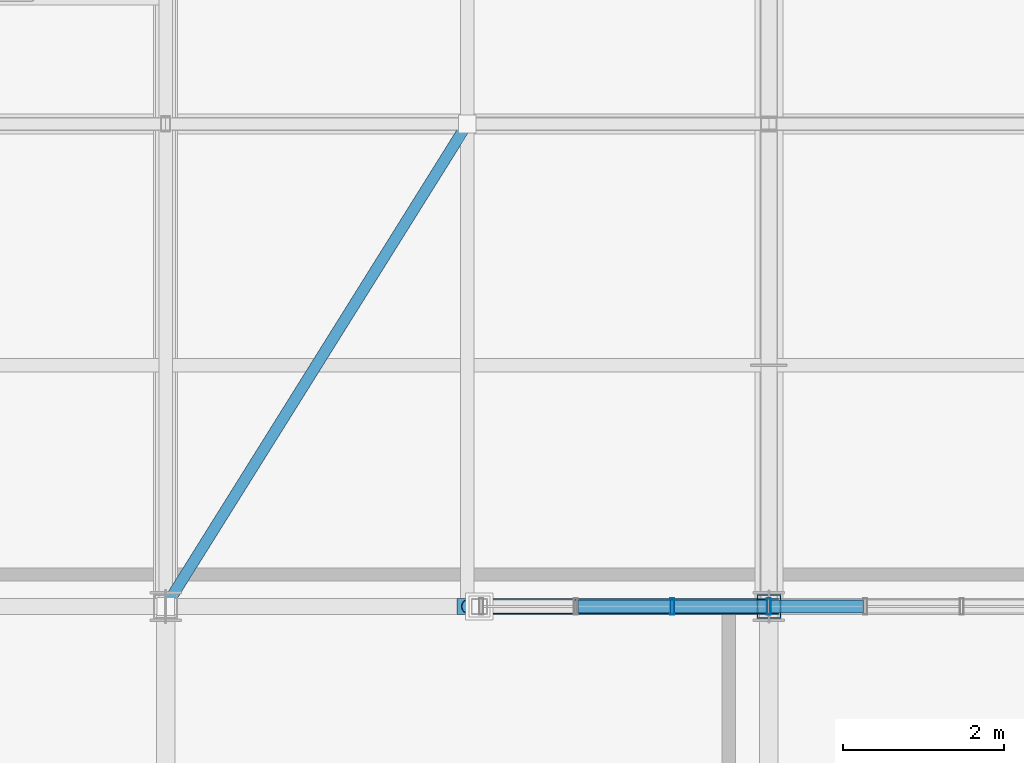
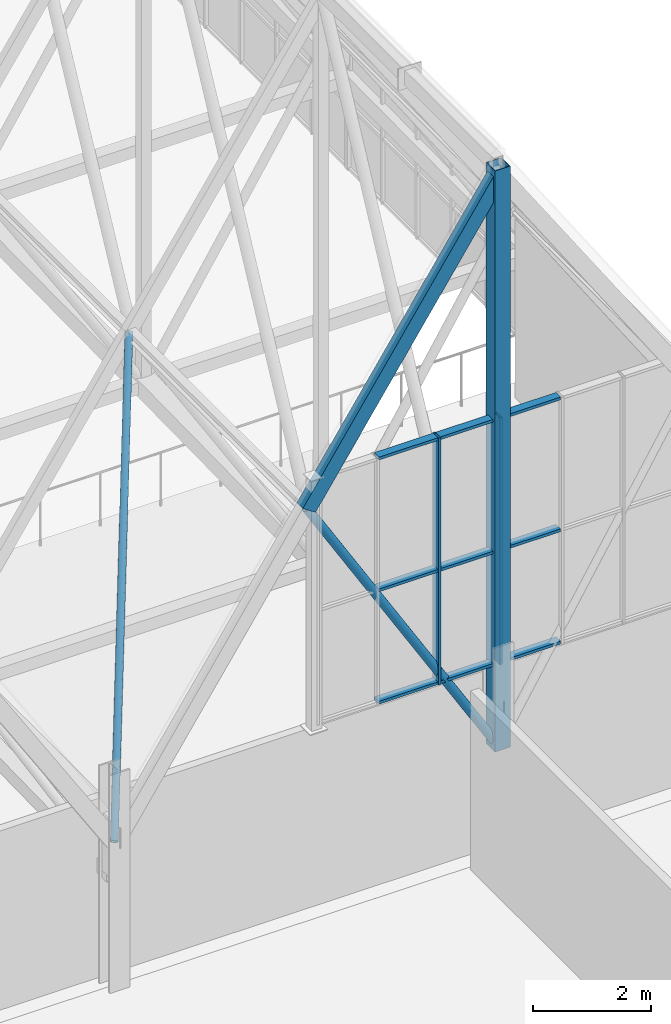
# One storey, part 213 of 324: 15 members, 1 element without a shape of its own.
"""IFC4 building model written with IfcOpenShell, lengths in metres."""

from ifc_helpers import new_model, si_unit, direction, frame, origin, origin_2d, place, context, subcontext, project, spatial, hollow_rectangle, hollow_circle, extrude, material, layer, layer_set, material_profile, profile_set, type_object, element, aggregate, save


model = new_model("IFC4")

# Units and contexts
model_context = context("Model", 3, precision=1e-05, world=origin(), true_north=direction((0.0, 1.0)))
body_context = subcontext(model_context, "Body", "Model", "MODEL_VIEW")
ifc_project = project(units=[si_unit("LENGTHUNIT", "METRE"), si_unit("AREAUNIT", "SQUARE_METRE"), si_unit("VOLUMEUNIT", "CUBIC_METRE"), si_unit("PLANEANGLEUNIT", "RADIAN"), si_unit("MASSUNIT", "GRAM", prefix="KILO")], contexts=[model_context])

# Site, building, storey
site_placement = place(None, origin())
site = spatial("IfcSite", under=ifc_project, at=site_placement, CompositionType="ELEMENT")
building_placement = place(site_placement, origin())
building = spatial("IfcBuilding", under=site, at=building_placement, Name="Solvenia Promenade Tram Depot", CompositionType="ELEMENT")
storey_placement = place(building_placement, frame((0.0, 0.0, 4.5)))
storey = spatial("IfcBuildingStorey", under=building, at=storey_placement, Name="L01", CompositionType="ELEMENT", Elevation=4.5)

# Curtain wall, members
ifc_material_1 = material(Name="Anodized aluminium AW-6063 T6", Category="aluminium")
ifc_layer = layer(ifc_material_1, 0.14990234375, Name="Anodized aluminium AW-6063 T6", Category="aluminium")
ifc_layer_set = layer_set([ifc_layer], Name="Anodized aluminium AW-6063 T6")
curtain_wall_type = type_object("IfcCurtainWallType", Name="CW-Gable-1200", PredefinedType="NOTDEFINED", material=ifc_layer_set)
curtain_wall_placement = place(storey_placement, origin())
curtain_wall = element("IfcCurtainWall", 1, at=curtain_wall_placement, inside=storey, type_object=curtain_wall_type, Name="South Zigzag Gable 10 Peak Glazing", PredefinedType="NOTDEFINED")
ifc_material_profile_1 = material_profile(ifc_material_1, hollow_rectangle(XDim=0.199951171875, YDim=0.048095703125, WallThickness=0.00390625, at=origin_2d()), Name="ALU-M3", Category="aluminium")
ifc_profile_set_1 = profile_set([ifc_material_profile_1], Name="Anodized aluminium AW-6063 T6")
member_type_1 = type_object("IfcMemberType", Name="CWM-Mullion-3", PredefinedType="MULLION", material=ifc_profile_set_1)
member_1_placement = place(storey_placement, frame((141.300048828125, 66.0, 4.050048828125), z_axis=(0.0, 0.0, 1.0), x_axis=(0.0, 1.0, 0.0)))
member_1 = element("IfcMember", 2, at=member_1_placement, type_object=member_type_1, Name="CW-3 mullion 3", PredefinedType="MULLION", context=body_context, shape_type="SweptSolid", body=[
    extrude(hollow_rectangle(XDim=0.199951171875, YDim=0.048095703125, WallThickness=0.00390625, at=origin_2d()), origin(), (0.0, 0.0, 1.0), 5.099853515625),
])
member_2_placement = place(storey_placement, frame((142.5, 66.0, 4.050048828125), z_axis=(0.0, 0.0, 1.0), x_axis=(0.0, 1.0, 0.0)))
member_2 = element("IfcMember", 3, at=member_2_placement, type_object=member_type_1, Name="CW-3 mullion 4", PredefinedType="MULLION", context=body_context, shape_type="SweptSolid", body=[
    extrude(hollow_rectangle(XDim=0.199951171875, YDim=0.048095703125, WallThickness=0.00390625, at=origin_2d()), origin(), (0.0, 0.0, 1.0), 5.099853515625),
])
ifc_material_profile_2 = material_profile(ifc_material_1, hollow_rectangle(XDim=0.159912109375, YDim=0.05810546875, WallThickness=0.00390625, at=origin_2d()), Name="ALU-T3", Category="aluminium")
ifc_profile_set_2 = profile_set([ifc_material_profile_2], Name="Anodized aluminium AW-6063 T6")
member_type_2 = type_object("IfcMemberType", Name="CWT-Transom-3", PredefinedType="USERDEFINED", material=ifc_profile_set_2)
member_3_placement = place(storey_placement, frame((140.1240234375, 66.0, 4.0791015625), z_axis=(1.0, 0.0, 0.0), x_axis=(0.0, 1.0, 0.0)))
member_3 = element("IfcMember", 4, at=member_3_placement, type_object=member_type_2, Name="CW-3 transom 2.1", ObjectType="TRANSOM", PredefinedType="USERDEFINED", context=body_context, shape_type="SweptSolid", body=[
    extrude(hollow_rectangle(XDim=0.159912109375, YDim=0.05810546875, WallThickness=0.00390625, at=origin_2d()), origin(), (0.0, 0.0, 1.0), 1.15185546875),
])
member_4_placement = place(storey_placement, frame((140.1240234375, 66.0, 6.39990234375), z_axis=(1.0, 0.0, 0.0), x_axis=(0.0, 1.0, 0.0)))
member_4 = element("IfcMember", 5, at=member_4_placement, type_object=member_type_2, Name="CW-3 transom 2.2", ObjectType="TRANSOM", PredefinedType="USERDEFINED", context=body_context, shape_type="SweptSolid", body=[
    extrude(hollow_rectangle(XDim=0.159912109375, YDim=0.05810546875, WallThickness=0.00390625, at=origin_2d()), origin(), (0.0, 0.0, 1.0), 1.15185546875),
])
member_5_placement = place(storey_placement, frame((140.1240234375, 66.0, 9.12109375), z_axis=(1.0, 0.0, 0.0), x_axis=(0.0, 1.0, 0.0)))
member_5 = element("IfcMember", 6, at=member_5_placement, type_object=member_type_2, Name="CW-3 transom 2.3", ObjectType="TRANSOM", PredefinedType="USERDEFINED", context=body_context, shape_type="SweptSolid", body=[
    extrude(hollow_rectangle(XDim=0.159912109375, YDim=0.05810546875, WallThickness=0.00390625, at=origin_2d()), origin(), (0.0, 0.0, 1.0), 1.15185546875),
])
member_6_placement = place(storey_placement, frame((141.323974609375, 66.0, 4.0791015625), z_axis=(1.0, 0.0, 0.0), x_axis=(0.0, 1.0, 0.0)))
member_6 = element("IfcMember", 7, at=member_6_placement, type_object=member_type_2, Name="CW-3 transom 3.1", ObjectType="TRANSOM", PredefinedType="USERDEFINED", context=body_context, shape_type="SweptSolid", body=[
    extrude(hollow_rectangle(XDim=0.159912109375, YDim=0.05810546875, WallThickness=0.00390625, at=origin_2d()), origin(), (0.0, 0.0, 1.0), 1.152099609375),
])
member_7_placement = place(storey_placement, frame((141.323974609375, 66.0, 6.39990234375), z_axis=(1.0, 0.0, 0.0), x_axis=(0.0, 1.0, 0.0)))
member_7 = element("IfcMember", 8, at=member_7_placement, type_object=member_type_2, Name="CW-3 transom 3.2", ObjectType="TRANSOM", PredefinedType="USERDEFINED", context=body_context, shape_type="SweptSolid", body=[
    extrude(hollow_rectangle(XDim=0.159912109375, YDim=0.05810546875, WallThickness=0.00390625, at=origin_2d()), origin(), (0.0, 0.0, 1.0), 1.152099609375),
])
member_8_placement = place(storey_placement, frame((141.323974609375, 66.0, 9.12109375), z_axis=(1.0, 0.0, 0.0), x_axis=(0.0, 1.0, 0.0)))
member_8 = element("IfcMember", 9, at=member_8_placement, type_object=member_type_2, Name="CW-3 transom 3.3", ObjectType="TRANSOM", PredefinedType="USERDEFINED", context=body_context, shape_type="SweptSolid", body=[
    extrude(hollow_rectangle(XDim=0.159912109375, YDim=0.05810546875, WallThickness=0.00390625, at=origin_2d()), origin(), (0.0, 0.0, 1.0), 1.152099609375),
])
member_9_placement = place(storey_placement, frame((142.52392578125, 66.0, 4.0791015625), z_axis=(1.0, 0.0, 0.0), x_axis=(0.0, 1.0, 0.0)))
member_9 = element("IfcMember", 10, at=member_9_placement, type_object=member_type_2, Name="CW-3 transom 4.1", ObjectType="TRANSOM", PredefinedType="USERDEFINED", context=body_context, shape_type="SweptSolid", body=[
    extrude(hollow_rectangle(XDim=0.159912109375, YDim=0.05810546875, WallThickness=0.00390625, at=origin_2d()), origin(), (0.0, 0.0, 1.0), 1.152099609375),
])
member_10_placement = place(storey_placement, frame((142.52392578125, 66.0, 6.39990234375), z_axis=(1.0, 0.0, 0.0), x_axis=(0.0, 1.0, 0.0)))
member_10 = element("IfcMember", 11, at=member_10_placement, type_object=member_type_2, Name="CW-3 transom 4.2", ObjectType="TRANSOM", PredefinedType="USERDEFINED", context=body_context, shape_type="SweptSolid", body=[
    extrude(hollow_rectangle(XDim=0.159912109375, YDim=0.05810546875, WallThickness=0.00390625, at=origin_2d()), origin(), (0.0, 0.0, 1.0), 1.152099609375),
])
member_11_placement = place(storey_placement, frame((142.52392578125, 66.0, 9.12109375), z_axis=(1.0, 0.0, 0.0), x_axis=(0.0, 1.0, 0.0)))
member_11 = element("IfcMember", 12, at=member_11_placement, type_object=member_type_2, Name="CW-3 transom 4.3", ObjectType="TRANSOM", PredefinedType="USERDEFINED", context=body_context, shape_type="SweptSolid", body=[
    extrude(hollow_rectangle(XDim=0.159912109375, YDim=0.05810546875, WallThickness=0.00390625, at=origin_2d()), origin(), (0.0, 0.0, 1.0), 1.152099609375),
])
aggregate(curtain_wall, [member_1, member_2, member_3, member_4, member_5, member_6, member_7, member_8, member_9, member_10, member_11])

# Members
ifc_material_2 = material(Name="Structural steel ASTM A500 Gr. C", Category="steel")
ifc_material_profile_3 = material_profile(ifc_material_2, hollow_rectangle(XDim=0.199951171875, YDim=0.300048828125, WallThickness=0.012451171875, at=origin_2d()), Name="HSS300x200x12.5", Category="steel")
ifc_profile_set_3 = profile_set([ifc_material_profile_3], Name="Structural steel ASTM A500 Gr. C")
member_type_3 = type_object("IfcMemberType", Name="Chord-HSS300x200x12", PredefinedType="CHORD", material=ifc_profile_set_3)
member_12_placement = place(storey_placement, frame((138.75, 66.0, 8.54443359375), z_axis=(0.557259486914, 0.0, 0.83033840345), x_axis=(0.0, 1.0, 0.0)))
element("IfcMember", 13, at=member_12_placement, inside=storey, type_object=member_type_3, Name="Zigzag Gable 10 West Upper Rafter", PredefinedType="CHORD", context=body_context, shape_type="SweptSolid", body=[
    extrude(hollow_rectangle(XDim=0.199951171875, YDim=0.300048828125, WallThickness=0.012451171875, at=origin_2d()), origin(), (0.0, 0.0, 1.0), 6.729248046875),
])
ifc_material_profile_4 = material_profile(ifc_material_2, hollow_rectangle(XDim=0.300048828125, YDim=0.300048828125, WallThickness=0.012451171875, at=origin_2d()), Name="HSS300x300x12.5", Category="steel")
ifc_profile_set_4 = profile_set([ifc_material_profile_4], Name="Structural steel ASTM A500 Gr. C")
member_type_4 = type_object("IfcMemberType", Name="Chord-HSS300x300x12", PredefinedType="CHORD", material=ifc_profile_set_4)
member_13_placement = place(storey_placement, frame((142.5, 66.0, 2.320068359375), z_axis=(0.0, 0.0, 1.0), x_axis=(1.0, 0.0, 0.0)))
element("IfcMember", 14, at=member_13_placement, inside=storey, type_object=member_type_4, Name="Arched Truss T20 S End Post", PredefinedType="CHORD", context=body_context, shape_type="SweptSolid", body=[
    extrude(hollow_rectangle(XDim=0.300048828125, YDim=0.300048828125, WallThickness=0.012451171875, at=origin_2d()), origin(), (0.0, 0.0, 1.0), 12.0048828125),
])
ifc_material_profile_5 = material_profile(ifc_material_2, hollow_circle(Radius=0.06982421875, WallThickness=0.00634765625, at=origin_2d()), Name="CHS139.7x6.3", Category="steel")
ifc_profile_set_5 = profile_set([ifc_material_profile_5], Name="Structural steel ASTM A500 Gr. C")
member_type_5 = type_object("IfcMemberType", Name="RoofBrace-CHS140x6", PredefinedType="BRACE", material=ifc_profile_set_5)
member_14_placement = place(storey_placement, frame((135.0, 66.0, 2.95703125), z_axis=(0.415944359548, 0.665510975277, 0.619746263842), x_axis=(-0.847998304005, 0.529998940003, 0.0)))
element("IfcMember", 15, at=member_14_placement, inside=storey, type_object=member_type_5, Name="Roof Plan Wind Brace 019", PredefinedType="BRACE", context=body_context, shape_type="SweptSolid", body=[
    extrude(hollow_circle(Radius=0.06982421875, WallThickness=0.00634765625, at=origin_2d()), origin(), (0.0, 0.0, 1.0), 9.015625),
])
ifc_material_profile_6 = material_profile(ifc_material_2, hollow_circle(Radius=0.084228515625, WallThickness=0.008056640625, at=origin_2d()), Name="CHS168.3x8", Category="steel")
ifc_profile_set_6 = profile_set([ifc_material_profile_6], Name="Structural steel ASTM A500 Gr. C")
member_type_6 = type_object("IfcMemberType", Name="WebDiag-CHS168x8", PredefinedType="BRACE", material=ifc_profile_set_6)
member_15_placement = place(storey_placement, frame((142.5, 66.0, 2.320068359375), z_axis=(-0.516051243619, 0.0, 0.856557711984), x_axis=(0.0, -1.0, 0.0)))
element("IfcMember", 16, at=member_15_placement, inside=storey, type_object=member_type_6, Name="Zigzag Gable 10 West Knee Strut", PredefinedType="BRACE", context=body_context, shape_type="SweptSolid", body=[
    extrude(hollow_circle(Radius=0.084228515625, WallThickness=0.008056640625, at=origin_2d()), origin(), (0.0, 0.0, 1.0), 7.2666015625),
])

save(model, "model.ifc")
